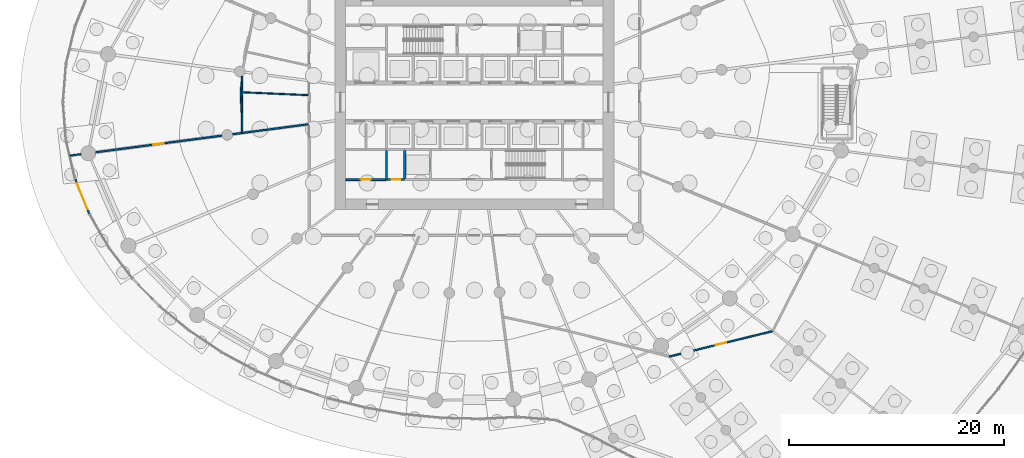
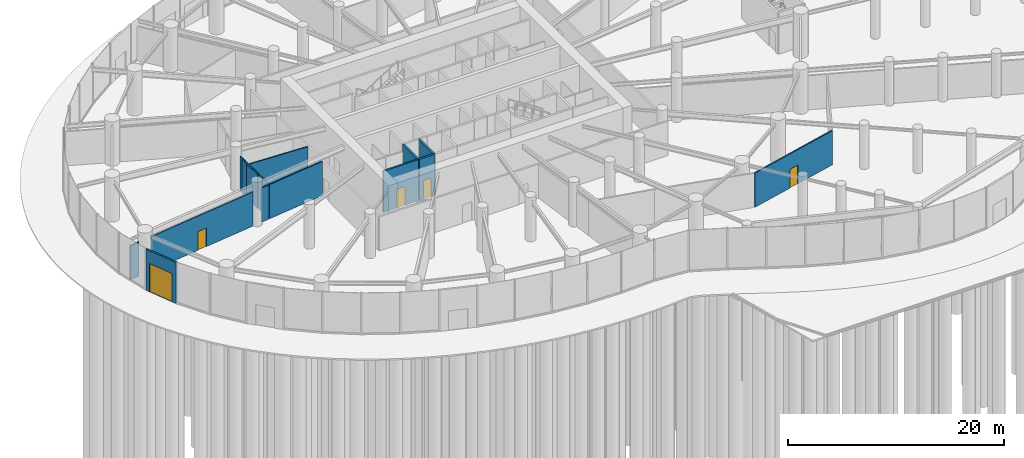
# One storey, part 17 of 28: 14 walls, 5 doors, 5 openings.
"""IFC4 building model written with IfcOpenShell, lengths in metres."""

from ifc_helpers import new_model, si_unit, direction, frame, frame_2d, origin, place, context, subcontext, project, spatial, rectangle, extrude, source, transform, mapped, material, layer, layer_set, type_object, element, fill, save


model = new_model("IFC4")

# Units and contexts
model_context = context("Model", 3, precision=1e-05, world=origin(), true_north=direction((0.0, 1.0)))
body_context = subcontext(model_context, "Body", "Model", "MODEL_VIEW")
ifc_project = project(units=[si_unit("LENGTHUNIT", "METRE"), si_unit("AREAUNIT", "SQUARE_METRE"), si_unit("VOLUMEUNIT", "CUBIC_METRE"), si_unit("PLANEANGLEUNIT", "RADIAN"), si_unit("MASSUNIT", "GRAM", prefix="KILO")], contexts=[model_context])

# Site, building, storey
site_placement = place(None, origin())
site = spatial("IfcSite", under=ifc_project, at=site_placement, CompositionType="ELEMENT")
building_placement = place(site_placement, origin())
building = spatial("IfcBuilding", under=site, at=building_placement, Name="Spindrift Exchange Tower", CompositionType="ELEMENT")
storey_placement = place(building_placement, origin())
storey = spatial("IfcBuildingStorey", under=building, at=storey_placement, Name="L00", CompositionType="ELEMENT", Elevation=0.0)

# Wall, opening, door
ifc_material_1 = material(Name="Bronze anodised aluminium frame with fritted laminated glass spandrel", Category="aluminium")
ifc_layer_1 = layer(ifc_material_1, 0.179931640625)
ifc_layer_set_1 = layer_set([ifc_layer_1], Name="UNITISED FRAME WALL")
wall_type_1 = type_object("IfcWallType", Name="UNITISED FRAME WALL", PredefinedType="STANDARD", material=ifc_layer_set_1)
wall_1_placement = place(storey_placement, frame((16.10986328125, 37.615478515625, 0.0), z_axis=(0.0, 0.0, 1.0), x_axis=(-0.37529662437, 0.926904765192, 0.0)))
wall_1 = element("IfcWall", 1, at=wall_1_placement, inside=storey, type_object=wall_type_1, Name="L00 Frame Wall 41", PredefinedType="STANDARD", context=body_context, shape_type="SweptSolid", body=[
    extrude(rectangle(XDim=3.51025390625, YDim=0.179931640625, at=frame_2d((1.755126953125, 0.0))), origin(), (0.0, 0.0, 1.0), 4.64990234375),
])
opening_1_placement = place(wall_1_placement, frame((0.455078125, 0.0, 0.0)))
opening_1 = element("IfcOpeningElement", 2, at=opening_1_placement, cuts=wall_1, Name="Opening ED00-5", PredefinedType="OPENING", context=body_context, shape_type="SweptSolid", body=[
    extrude(rectangle(XDim=2.60009765625, YDim=3.199951171875, at=frame_2d((1.300048828125, 1.60009765625))), frame((0.0, 0.099853515625, 0.0), z_axis=(0.0, -1.0, 0.0), x_axis=(1.0, 0.0, 0.0)), (0.0, 0.0, 1.0), 0.199951171875),
])
ifc_material_2 = material(Name="Galvanised steel door leaf, polyester powder coat", Category="steel")
door_type_1 = type_object("IfcDoorType", Name="LOADING DOCK ROLLER DOOR 2600X3200", OperationType="ROLLINGUP", PredefinedType="DOOR", material=ifc_material_2)
shared_shape_1 = source(origin(), body_context, "Body", "SweptSolid", [
    extrude(rectangle(XDim=2.60009765625, YDim=3.199951171875, at=frame_2d((1.300048828125, 1.60009765625))), frame((0.0, 0.02490234375, 0.0), z_axis=(0.0, -1.0, 0.0), x_axis=(1.0, 0.0, 0.0)), (0.0, 0.0, 1.0), 0.050048828125),
])
door_1_placement = place(opening_1_placement, origin())
door_1 = element("IfcDoor", 3, at=door_1_placement, inside=storey, type_object=door_type_1, Name="L00 Loading Dock Roller Door ED00-5", OperationType="ROLLINGUP", OverallHeight=3.199951171875, OverallWidth=2.60009765625, PredefinedType="DOOR", context=body_context, shape_type="MappedRepresentation", body=[
    mapped(shared_shape_1, transform((0.0, 0.0, 0.0), scale=1.0)),
])
fill(opening_1, door_1)

ifc_material_3 = material(Name="Fire-rated plasterboard partition", Category="gypsum")
ifc_layer_2 = layer(ifc_material_3, 0.179931640625)
ifc_layer_set_2 = layer_set([ifc_layer_2], Name="W-CORR-180")
wall_type_2 = type_object("IfcWallType", Name="W-CORR-180", PredefinedType="PARTITIONING", material=ifc_layer_set_2)
wall_2_placement = place(storey_placement, frame((40.02001953125, 40.800048828125, 0.0), z_axis=(0.0, 0.0, 1.0), x_axis=(1.0, 0.0, 0.0)))
wall_2 = element("IfcWall", 4, at=wall_2_placement, inside=storey, type_object=wall_type_2, Name="L00 Partition wall 65", PredefinedType="PARTITIONING", context=body_context, shape_type="SweptSolid", body=[
    extrude(rectangle(XDim=3.75, YDim=0.179931640625, at=frame_2d((1.875, 0.0))), origin(), (0.0, 0.0, 1.0), 4.64990234375),
])
opening_2_placement = place(wall_2_placement, frame((1.39990234375, 0.0, 0.0)))
opening_2 = element("IfcOpeningElement", 5, at=opening_2_placement, cuts=wall_2, Name="Opening L00-D48", PredefinedType="OPENING", context=body_context, shape_type="SweptSolid", body=[
    extrude(rectangle(XDim=0.89990234375, YDim=2.10009765625, at=frame_2d((0.449951171875, 1.050048828125))), frame((0.0, 0.099853515625, 0.0), z_axis=(0.0, -1.0, 0.0), x_axis=(1.0, 0.0, 0.0)), (0.0, 0.0, 1.0), 0.199951171875),
])
ifc_material_4 = material(Name="Steel access door", Category="steel")
door_type_2 = type_object("IfcDoorType", Name="DR-RISER-900", OperationType="NOTDEFINED", PredefinedType="DOOR", material=ifc_material_4)
shared_shape_2 = source(origin(), body_context, "Body", "SweptSolid", [
    extrude(rectangle(XDim=0.89990234375, YDim=2.10009765625, at=frame_2d((0.449951171875, 1.050048828125))), frame((0.0, 0.02490234375, 0.0), z_axis=(0.0, -1.0, 0.0), x_axis=(1.0, 0.0, 0.0)), (0.0, 0.0, 1.0), 0.050048828125),
])
door_2_placement = place(opening_2_placement, origin())
door_2 = element("IfcDoor", 6, at=door_2_placement, inside=storey, type_object=door_type_2, Name="L00 Riser door 48", OperationType="SINGLE_SWING_LEFT", OverallHeight=2.10009765625, OverallWidth=0.89990234375, PredefinedType="DOOR", context=body_context, shape_type="MappedRepresentation", body=[
    mapped(shared_shape_2, transform((0.0, 0.0, 0.0), scale=1.0)),
])
fill(opening_2, door_2)

# Walls
ifc_layer_3 = layer(ifc_material_3, 0.139892578125)
ifc_layer_set_3 = layer_set([ifc_layer_3], Name="W-PART-140")
wall_type_3 = type_object("IfcWallType", Name="W-PART-140", PredefinedType="PARTITIONING", material=ifc_layer_set_3)
wall_3_placement = place(storey_placement, frame((36.510009765625, 45.960693359375, 0.0), z_axis=(0.0, 0.0, 1.0), x_axis=(-0.991444112872, -0.130531877526, 0.0)))
element("IfcWall", 7, at=wall_3_placement, inside=storey, type_object=wall_type_3, Name="L00 Partition wall 88", PredefinedType="PARTITIONING", context=body_context, shape_type="SweptSolid", body=[
    extrude(rectangle(XDim=6.203857421875, YDim=0.139892578125, at=frame_2d((3.10205078125, 0.0))), origin(), (0.0, 0.0, 1.0), 3.85009765625),
])
ifc_layer_4 = layer(ifc_material_3, 0.1201171875)
ifc_layer_set_4 = layer_set([ifc_layer_4], Name="W-PLANT-120")
wall_type_4 = type_object("IfcWallType", Name="W-PLANT-120", PredefinedType="PARTITIONING", material=ifc_layer_set_4)
wall_4_placement = place(storey_placement, frame((30.22265625, 48.95068359375, 0.0), z_axis=(0.0, 0.0, 1.0), x_axis=(0.035987753471, -0.999352230998, 0.0)))
element("IfcWall", 8, at=wall_4_placement, inside=storey, type_object=wall_type_4, Name="L00 Partition wall 136", PredefinedType="PARTITIONING", context=body_context, shape_type="SweptSolid", body=[
    extrude(rectangle(XDim=1.85205078125, YDim=0.1201171875, at=frame_2d((0.926025390625, 0.0))), origin(), (0.0, 0.0, 1.0), 3.85009765625),
])
wall_5_placement = place(storey_placement, frame((30.289306640625, 49.87548828125, 0.0), z_axis=(0.0, 0.0, 1.0), x_axis=(-0.071846587552, -0.997415694611, 0.0)))
element("IfcWall", 9, at=wall_5_placement, inside=storey, type_object=wall_type_4, Name="L00 Partition wall 137", PredefinedType="PARTITIONING", context=body_context, shape_type="SweptSolid", body=[
    extrude(rectangle(XDim=0.89697265625, YDim=0.1201171875, at=frame_2d((0.448486328125, 0.0))), origin(), (0.0, 0.0, 1.0), 3.85009765625),
])

# Wall, opening, door
ifc_layer_5 = layer(ifc_material_3, 0.139892578125)
ifc_layer_set_5 = layer_set([ifc_layer_5], Name="W-PLANT-140")
wall_type_5 = type_object("IfcWallType", Name="W-PLANT-140", PredefinedType="PARTITIONING", material=ifc_layer_set_5)
wall_6_placement = place(storey_placement, frame((16.707763671875, 43.353759765625, 0.0), z_axis=(0.0, 0.0, 1.0), x_axis=(0.991446586451, 0.130513088287, 0.0)))
wall_6 = element("IfcWall", 10, at=wall_6_placement, inside=storey, type_object=wall_type_5, Name="L00 Partition wall 69", PredefinedType="PARTITIONING", context=body_context, shape_type="SweptSolid", body=[
    extrude(rectangle(XDim=11.85986328125, YDim=0.139892578125, at=frame_2d((5.929931640625, 0.0))), origin(), (0.0, 0.0, 1.0), 3.85009765625),
])
opening_3_placement = place(wall_6_placement, frame((5.40966796875, 0.0, 0.0)))
opening_3 = element("IfcOpeningElement", 11, at=opening_3_placement, cuts=wall_6, Name="Opening L00-D40", PredefinedType="OPENING", context=body_context, shape_type="SweptSolid", body=[
    extrude(rectangle(XDim=1.0, YDim=2.10009765625, at=frame_2d((0.5, 1.050048828125))), frame((0.0, 0.079833984375, 0.0), z_axis=(0.0, -1.0, 0.0), x_axis=(1.0, 0.0, 0.0)), (0.0, 0.0, 1.0), 0.159912109375),
])
ifc_material_5 = material(Name="Timber-core fire door", Category="wood")
door_type_3 = type_object("IfcDoorType", Name="DR-ROOM-1000", OperationType="NOTDEFINED", PredefinedType="DOOR", material=ifc_material_5)
shared_shape_3 = source(origin(), body_context, "Body", "SweptSolid", [
    extrude(rectangle(XDim=1.0, YDim=2.10009765625, at=frame_2d((0.5, 1.050048828125))), frame((0.0, 0.02490234375, 0.0), z_axis=(0.0, -1.0, 0.0), x_axis=(1.0, 0.0, 0.0)), (0.0, 0.0, 1.0), 0.050048828125),
])
door_3_placement = place(opening_3_placement, origin())
door_3 = element("IfcDoor", 12, at=door_3_placement, inside=storey, type_object=door_type_3, Name="L00 Door 40", OperationType="SINGLE_SWING_LEFT", OverallHeight=2.10009765625, OverallWidth=1.0, PredefinedType="DOOR", context=body_context, shape_type="MappedRepresentation", body=[
    mapped(shared_shape_3, transform((0.0, 0.0, 0.0), scale=1.0)),
])
fill(opening_3, door_3)

wall_7_placement = place(storey_placement, frame((79.78759765625, 26.677734375, 0.0), z_axis=(0.0, 0.0, 1.0), x_axis=(-0.971254631913, -0.238042937278, 0.0)))
wall_7 = element("IfcWall", 13, at=wall_7_placement, inside=storey, type_object=wall_type_5, Name="L00 Partition wall 72", PredefinedType="PARTITIONING", context=body_context, shape_type="SweptSolid", body=[
    extrude(rectangle(XDim=9.90234375, YDim=0.139892578125, at=frame_2d((4.951171875, 0.0))), origin(), (0.0, 0.0, 1.0), 3.85009765625),
])
opening_4_placement = place(wall_7_placement, frame((4.452392578125, 0.0, 0.0)))
opening_4 = element("IfcOpeningElement", 14, at=opening_4_placement, cuts=wall_7, Name="Opening L00-D44", PredefinedType="OPENING", context=body_context, shape_type="SweptSolid", body=[
    extrude(rectangle(XDim=1.0, YDim=2.10009765625, at=frame_2d((0.5, 1.050048828125))), frame((0.0, 0.079833984375, 0.0), z_axis=(0.0, -1.0, 0.0), x_axis=(1.0, 0.0, 0.0)), (0.0, 0.0, 1.0), 0.159912109375),
])
door_4_placement = place(opening_4_placement, origin())
door_4 = element("IfcDoor", 15, at=door_4_placement, inside=storey, type_object=door_type_3, Name="L00 Door 44", OperationType="SINGLE_SWING_LEFT", OverallHeight=2.10009765625, OverallWidth=1.0, PredefinedType="DOOR", context=body_context, shape_type="MappedRepresentation", body=[
    mapped(shared_shape_3, transform((0.0, 0.0, 0.0), scale=1.0)),
])
fill(opening_4, door_4)

# Walls
wall_8_placement = place(storey_placement, frame((30.359130859375, 50.425537109375, 0.0), z_axis=(0.0, 0.0, 1.0), x_axis=(0.0, -1.0, 0.0)))
element("IfcWall", 16, at=wall_8_placement, inside=storey, type_object=wall_type_5, Name="L00 Partition wall 92", PredefinedType="PARTITIONING", context=body_context, shape_type="SweptSolid", body=[
    extrude(rectangle(XDim=5.2041015625, YDim=0.139892578125, at=frame_2d((2.60205078125, 0.0))), origin(), (0.0, 0.0, 1.0), 3.85009765625),
])
wall_9_placement = place(storey_placement, frame((15.311279296875, 43.169921875, 0.0), z_axis=(0.0, 0.0, 1.0), x_axis=(-0.991417173479, -0.130736330569, 0.0)))
element("IfcWall", 17, at=wall_9_placement, inside=storey, type_object=wall_type_5, Name="L00 Partition wall 124", PredefinedType="PARTITIONING", context=body_context, shape_type="SweptSolid", body=[
    extrude(rectangle(XDim=1.00830078125, YDim=0.139892578125, at=frame_2d((0.504150390625, 0.0))), origin(), (0.0, 0.0, 1.0), 3.85009765625),
])
wall_10_placement = place(storey_placement, frame((30.32958984375, 45.14697265625, 0.0), z_axis=(0.0, 0.0, 1.0), x_axis=(-0.991463836503, -0.130381980762, 0.0)))
element("IfcWall", 18, at=wall_10_placement, inside=storey, type_object=wall_type_5, Name="L00 Partition wall 125", PredefinedType="PARTITIONING", context=body_context, shape_type="SweptSolid", body=[
    extrude(rectangle(XDim=0.87060546875, YDim=0.139892578125, at=frame_2d((0.435302734375, 0.0))), origin(), (0.0, 0.0, 1.0), 3.85009765625),
])
ifc_material_6 = material(Name="Concrete 40 MPa", Category="concrete")
ifc_layer_6 = layer(ifc_material_6, 0.199951171875)
ifc_layer_set_6 = layer_set([ifc_layer_6], Name="W-SHAFT-200")
wall_type_6 = type_object("IfcWallType", Name="W-SHAFT-200", PredefinedType="SOLIDWALL", material=ifc_layer_set_6)
for number, where, z_axis, x_axis, name in (
    (19, (43.800048828125, 43.60009765625, 0.0), (0.0, 0.0, 1.0), (0.0, -1.0, 0.0), "L00 Shaft wall 8"),
    (20, (45.5, 43.60009765625, 0.0), (0.0, 0.0, 1.0), (0.0, -1.0, 0.0), "L00 Shaft wall 9"),
):
    element("IfcWall", number, at=place(storey_placement, frame(where, z_axis=z_axis, x_axis=x_axis)), inside=storey, type_object=wall_type_6, Name=name, PredefinedType="SOLIDWALL", context=body_context, shape_type="SweptSolid", body=[
        extrude(rectangle(XDim=2.800048828125, YDim=0.199951171875, at=frame_2d((1.39990234375, 0.0))), origin(), (0.0, 0.0, 1.0), 4.64990234375),
    ])

# Wall, opening, door
wall_11_placement = place(storey_placement, frame((43.830078125, 40.800048828125, 0.0), z_axis=(0.0, 0.0, 1.0), x_axis=(1.0, 0.0, 0.0)))
wall_11 = element("IfcWall", 21, at=wall_11_placement, inside=storey, type_object=wall_type_6, Name="L00 Shaft wall 45", PredefinedType="SOLIDWALL", context=body_context, shape_type="SweptSolid", body=[
    extrude(rectangle(XDim=1.639892578125, YDim=0.199951171875, at=frame_2d((0.81982421875, 0.0))), origin(), (0.0, 0.0, 1.0), 4.64990234375),
])
opening_5_placement = place(wall_11_placement, frame((0.469970703125, 0.0, 0.0)))
opening_5 = element("IfcOpeningElement", 22, at=opening_5_placement, cuts=wall_11, Name="Opening L00-D25", PredefinedType="OPENING", context=body_context, shape_type="SweptSolid", body=[
    extrude(rectangle(XDim=0.800048828125, YDim=2.10009765625, at=frame_2d((0.39990234375, 1.050048828125))), frame((0.0, 0.10986328125, 0.0), z_axis=(0.0, -1.0, 0.0), x_axis=(1.0, 0.0, 0.0)), (0.0, 0.0, 1.0), 0.219970703125),
])
door_type_4 = type_object("IfcDoorType", Name="DR-RISER-800", OperationType="NOTDEFINED", PredefinedType="DOOR", material=ifc_material_4)
shared_shape_4 = source(origin(), body_context, "Body", "SweptSolid", [
    extrude(rectangle(XDim=0.800048828125, YDim=2.10009765625, at=frame_2d((0.39990234375, 1.050048828125))), frame((0.0, 0.02490234375, 0.0), z_axis=(0.0, -1.0, 0.0), x_axis=(1.0, 0.0, 0.0)), (0.0, 0.0, 1.0), 0.050048828125),
])
door_5_placement = place(opening_5_placement, origin())
door_5 = element("IfcDoor", 23, at=door_5_placement, inside=storey, type_object=door_type_4, Name="L00 Riser door 25", OperationType="SINGLE_SWING_RIGHT", OverallHeight=2.10009765625, OverallWidth=0.800048828125, PredefinedType="DOOR", context=body_context, shape_type="MappedRepresentation", body=[
    mapped(shared_shape_4, transform((0.0, 0.0, 0.0), scale=1.0)),
])
fill(opening_5, door_5)

# Wall
ifc_layer_7 = layer(ifc_material_3, 0.1201171875)
ifc_layer_set_7 = layer_set([ifc_layer_7], Name="W-WET-120")
wall_type_7 = type_object("IfcWallType", Name="W-WET-120", PredefinedType="PARTITIONING", material=ifc_layer_set_7)
wall_12_placement = place(storey_placement, frame((36.510009765625, 48.67626953125, 0.0), z_axis=(0.0, 0.0, 1.0), x_axis=(-0.999047282882, 0.043640881831, 0.0)))
element("IfcWall", 24, at=wall_12_placement, inside=storey, type_object=wall_type_7, Name="L00 Partition wall 133", PredefinedType="PARTITIONING", context=body_context, shape_type="SweptSolid", body=[
    extrude(rectangle(XDim=6.086669921875, YDim=0.1201171875, at=frame_2d((3.04345703125, 0.0))), origin(), (0.0, 0.0, 1.0), 3.85009765625),
])

save(model, "model.ifc")
